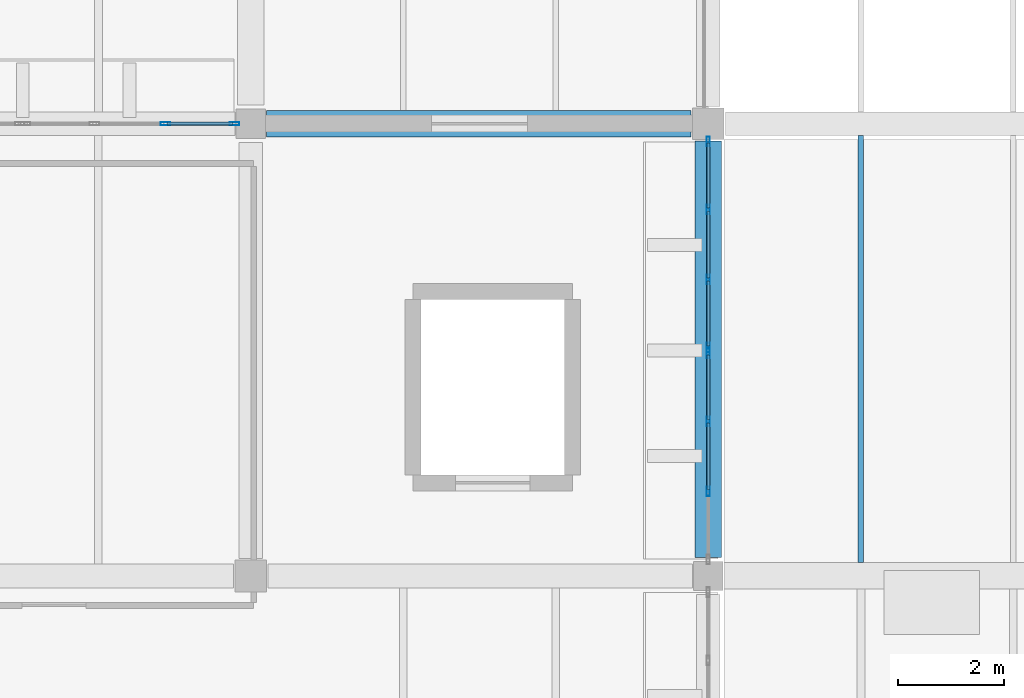
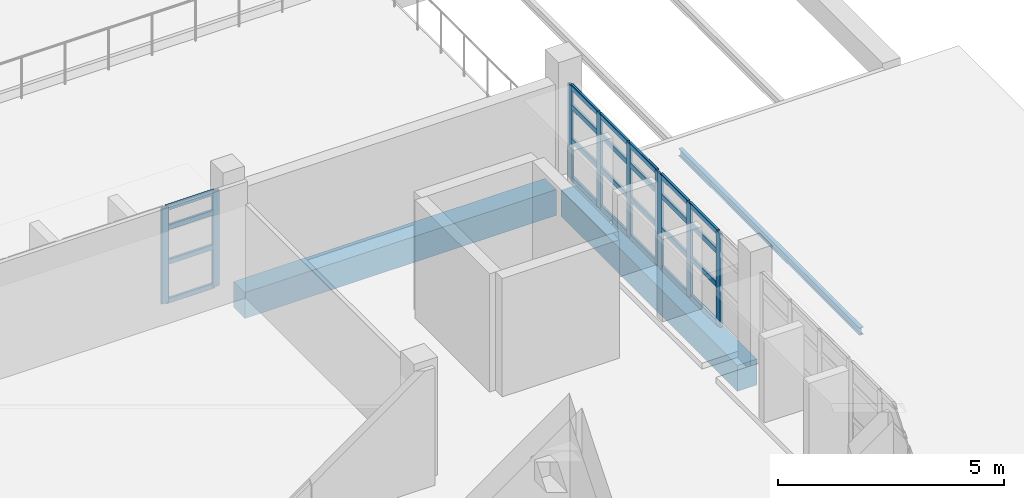
# One storey, part 17 of 55: 33 members, 3 beams, 3 elements without a shape of their own.
"""IFC4 building model written with IfcOpenShell, lengths in metres."""

import ifcopenshell
import ifcopenshell.guid

model = None  # the IFC model being written
_history = None  # IfcOwnerHistory: only IFC2X3 demands one
_inside = {}  # id of a spatial element -> (the spatial element, [elements in it])
_under = {}  # id of a project, library or spatial element -> (it, [spatial elements below it])
_declared = {}  # id of a project -> (the project, [libraries it declares])
_typed = {}  # id of a type object -> (the type object, [elements of that type])
_made_of = {}  # id of a material, layer set ... -> (it, [elements and type objects made of it])


def new_model(schema):
    """Start an empty IFC model of exactly this schema.

    Asked for "IFC4X3", IfcOpenShell would pick the latest addendum, in which some entities
    have other attributes; the version numbers below select the first issue.
    IFC2X3 requires an IfcOwnerHistory on every rooted entity: one is made here for all.
    """
    global model, _history
    if schema == "IFC4X3":
        model = ifcopenshell.file(schema_version=(4, 3, 0, 0))
    else:
        model = ifcopenshell.file(schema=schema)
    _inside.clear()
    _under.clear()
    _declared.clear()
    _typed.clear()
    _made_of.clear()
    _history = None
    if model.schema == "IFC2X3":
        org = make("IfcOrganization", Name="unknown")
        user = make(
            "IfcPersonAndOrganization",
            ThePerson=make("IfcPerson", FamilyName="unknown"),
            TheOrganization=org,
        )
        app = make(
            "IfcApplication",
            ApplicationDeveloper=org,
            Version="unknown",
            ApplicationFullName="unknown",
            ApplicationIdentifier="unknown",
        )
        _history = make(
            "IfcOwnerHistory",
            OwningUser=user,
            OwningApplication=app,
            ChangeAction="ADDED",
            CreationDate=0,
        )
    return model


def make(cls, **values):
    """One entity of the class cls with the attributes given. An attribute that is None is left unset."""
    return model.create_entity(
        cls, **{name: value for name, value in values.items() if value is not None}
    )


def rooted(cls, **values):
    """An entity with a GlobalId (a new one), such as an element, a storey or a relation."""
    return make(cls, GlobalId=ifcopenshell.guid.new(), OwnerHistory=_history, **values)


def si_unit(unit_type, name, prefix=None):
    """IfcSIUnit, for example si_unit("LENGTHUNIT", "METRE", prefix="MILLI")."""
    return make("IfcSIUnit", UnitType=unit_type, Prefix=prefix, Name=name)


def assignment(units):
    """IfcUnitAssignment: the units of a project."""
    return None if units is None else make("IfcUnitAssignment", Units=units)


def point(xyz):
    """IfcCartesianPoint."""
    return None if xyz is None else make("IfcCartesianPoint", Coordinates=xyz)


def direction(xyz):
    """IfcDirection."""
    return None if xyz is None else make("IfcDirection", DirectionRatios=xyz)


def frame(location, z_axis=None, x_axis=None):
    """IfcAxis2Placement3D, a coordinate frame: its origin and axes. An axis left out is left unset."""
    return make(
        "IfcAxis2Placement3D",
        Location=point(location),
        Axis=direction(z_axis),
        RefDirection=direction(x_axis),
    )


def frame_2d(location, x_axis=None):
    """IfcAxis2Placement2D, a coordinate frame in the plane: its origin and x axis."""
    return make(
        "IfcAxis2Placement2D", Location=point(location), RefDirection=direction(x_axis)
    )


def origin():
    """The frame at (0, 0, 0) with its axes left unset."""
    return frame((0.0, 0.0, 0.0))


def origin_2d():
    """The frame at (0, 0) in the plane with its x axis left unset."""
    return frame_2d((0.0, 0.0))


def place(relative_to, where):
    """IfcLocalPlacement: puts the frame where relative to a parent placement (None: the world)."""
    return make(
        "IfcLocalPlacement", PlacementRelTo=relative_to, RelativePlacement=where
    )


def context(
    kind, dimensions, precision=None, world=None, true_north=None, identifier=None
):
    """IfcGeometricRepresentationContext, for example the 3D "Model" context."""
    return make(
        "IfcGeometricRepresentationContext",
        ContextIdentifier=identifier,
        ContextType=kind,
        CoordinateSpaceDimension=dimensions,
        Precision=precision,
        WorldCoordinateSystem=world,
        TrueNorth=true_north,
    )


def subcontext(parent, identifier, kind, view, scale=None):
    """IfcGeometricRepresentationSubContext, for example "Body" below "Model"."""
    return make(
        "IfcGeometricRepresentationSubContext",
        ContextIdentifier=identifier,
        ContextType=kind,
        ParentContext=parent,
        TargetScale=scale,
        TargetView=view,
    )


def project(units=None, contexts=None):
    """IfcProject with its units and contexts."""
    return rooted(
        "IfcProject",
        Name="project",
        RepresentationContexts=contexts,
        UnitsInContext=assignment(units),
    )


def spatial(cls, under=None, at=None, **own):
    """A site, building, storey or space (cls), placed at a placement, below another one or the project."""
    s = rooted(cls, ObjectPlacement=at, **own)
    if under is not None:
        _under.setdefault(under.id(), (under, []))[1].append(s)
    return s


def profile(cls, at=None, kind="AREA", **sizes):
    """A parametric profile (cls). Its sizes go by their IFC names, for example OverallWidth=200.0."""
    return make(cls, ProfileType=kind, Position=at, **sizes)


def rectangle(**sizes):
    """IfcRectangleProfileDef."""
    return profile("IfcRectangleProfileDef", **sizes)


def hollow_rectangle(**sizes):
    """IfcRectangleHollowProfileDef."""
    return profile("IfcRectangleHollowProfileDef", **sizes)


def i_section(**sizes):
    """IfcIShapeProfileDef."""
    return profile("IfcIShapeProfileDef", **sizes)


def extrude(swept, where, along, depth):
    """IfcExtrudedAreaSolid: the profile swept, set in the frame where, extruded along a direction by depth."""
    return make(
        "IfcExtrudedAreaSolid",
        SweptArea=swept,
        Position=where,
        ExtrudedDirection=direction(along),
        Depth=depth,
    )


def shape(context_of_items, identifier, shape_type, items):
    """IfcShapeRepresentation: the items that make up one representation, for example the "Body"."""
    return make(
        "IfcShapeRepresentation",
        ContextOfItems=context_of_items,
        RepresentationIdentifier=identifier,
        RepresentationType=shape_type,
        Items=items,
    )


def material(Name=None, Category=None):
    """IfcMaterial."""
    return make("IfcMaterial", Name=Name, Category=Category)


def material_profile(
    of_material, cross_section, Name=None, Category=None, Priority=None
):
    """IfcMaterialProfile: a cross section and its material."""
    return make(
        "IfcMaterialProfile",
        Name=Name,
        Material=of_material,
        Profile=cross_section,
        Priority=Priority,
        Category=Category,
    )


def profile_set(profiles, Name=None, composite=None):
    """IfcMaterialProfileSet."""
    return make(
        "IfcMaterialProfileSet",
        Name=Name,
        MaterialProfiles=profiles,
        CompositeProfile=composite,
    )


def made_of(thing, what):
    """Note that an element or type object is made of a material, layer set ...; save() writes the relation."""
    if what is not None:
        _made_of.setdefault(what.id(), (what, []))[1].append(thing)
    return thing


def type_object(cls, material=None, **own):
    """A type object (cls), such as IfcWallType, which elements share."""
    return made_of(rooted(cls, **own), material)


def element(
    cls,
    number,
    at=None,
    inside=None,
    cuts=None,
    type_object=None,
    material=None,
    context=None,
    identifier="Body",
    shape_type=None,
    held_by="IfcProductDefinitionShape",
    body=None,
    shapes=None,
    **own,
):
    """One element of the class cls, such as IfcWall. Its Tag is "e" and its number.

    at: its placement. inside: the storey or other place that contains it. cuts: it is an
    opening in that element (IfcRelVoidsElement). A single representation is given by context,
    identifier, shape_type and body (its items); several are given by shapes. held_by: the class
    of the entity that holds the representations. save() writes the other relations.
    """
    e = rooted(cls, Tag="e%d" % number, ObjectPlacement=at, **own)
    if body is not None:
        shapes = [shape(context, identifier, shape_type, body)]
    if shapes is not None:
        e.Representation = make(held_by, Representations=shapes)
    if inside is not None:
        _inside.setdefault(inside.id(), (inside, []))[1].append(e)
    if cuts is not None:
        rooted(
            "IfcRelVoidsElement", RelatingBuildingElement=cuts, RelatedOpeningElement=e
        )
    if type_object is not None:
        _typed.setdefault(type_object.id(), (type_object, []))[1].append(e)
    return made_of(e, material)


def aggregate(whole, parts):
    """IfcRelAggregates: a whole, such as a stair, and the parts it consists of."""
    return rooted("IfcRelAggregates", RelatingObject=whole, RelatedObjects=parts)


def save(model, path):
    """Write the relations noted so far, then the file.

    IfcRelAggregates (storeys below a building ...), IfcRelContainedInSpatialStructure (elements
    in a storey), IfcRelDefinesByType, IfcRelAssociatesMaterial and IfcRelDeclares: one each for
    every whole, place, type object, material and project.
    """
    for whole, parts in _under.values():
        aggregate(whole, parts)
    for where, things in _inside.values():
        rooted(
            "IfcRelContainedInSpatialStructure",
            RelatedElements=things,
            RelatingStructure=where,
        )
    for kind, things in _typed.values():
        rooted("IfcRelDefinesByType", RelatedObjects=things, RelatingType=kind)
    for what, things in _made_of.values():
        rooted("IfcRelAssociatesMaterial", RelatedObjects=things, RelatingMaterial=what)
    for by, libraries in _declared.values():
        rooted("IfcRelDeclares", RelatingContext=by, RelatedDefinitions=libraries)
    model.write(path)


model = new_model("IFC4")

# Units and contexts
model_context = context("Model", 3, precision=1e-05, world=origin(), true_north=direction((0.0, 1.0)))
body_context = subcontext(model_context, "Body", "Model", "MODEL_VIEW")
ifc_project = project(units=[si_unit("LENGTHUNIT", "METRE"), si_unit("AREAUNIT", "SQUARE_METRE"), si_unit("VOLUMEUNIT", "CUBIC_METRE"), si_unit("PLANEANGLEUNIT", "RADIAN"), si_unit("MASSUNIT", "GRAM", prefix="KILO")], contexts=[model_context])

# Site, building, storey
site_placement = place(None, origin())
site = spatial("IfcSite", under=ifc_project, at=site_placement, CompositionType="ELEMENT")
building_placement = place(site_placement, origin())
building = spatial("IfcBuilding", under=site, at=building_placement, Name="Varnakota Cinema and Media Centre", CompositionType="ELEMENT")
storey_placement = place(building_placement, frame((0.0, 0.0, 15.60009765625)))
storey = spatial("IfcBuildingStorey", under=building, at=storey_placement, Name="L04", CompositionType="ELEMENT", Elevation=15.60009765625)

# Beams
ifc_material_1 = material(Name="Concrete M35", Category="concrete")
ifc_material_profile_1 = material_profile(ifc_material_1, rectangle(XDim=0.5, YDim=0.699951171875, at=origin_2d()), Name="RCB 500x700")
ifc_profile_set_1 = profile_set([ifc_material_profile_1], Name="Concrete M35")
beam_type_1 = type_object("IfcBeamType", Name="BM-RC-500x700", PredefinedType="BEAM", material=ifc_profile_set_1)
beam_1_placement = place(storey_placement, frame((17.5, 61.0, -0.60009765625), z_axis=(1.0, 0.0, 0.0), x_axis=(0.0, 1.0, 0.0)))
element("IfcBeam", 1, at=beam_1_placement, inside=storey, type_object=beam_type_1, Name="L04 girder C-D/8", PredefinedType="BEAM", context=body_context, shape_type="SweptSolid", body=[
    extrude(rectangle(XDim=0.5, YDim=0.699951171875, at=origin_2d()), origin(), (0.0, 0.0, 1.0), 7.97509765625),
])
beam_2_placement = place(storey_placement, frame((25.800048828125, 52.85009765625, -0.60009765625), z_axis=(0.0, 1.0, 0.0), x_axis=(-1.0, 0.0, 0.0)))
element("IfcBeam", 2, at=beam_2_placement, inside=storey, type_object=beam_type_1, Name="L04 girder D/7-8", PredefinedType="BEAM", context=body_context, shape_type="SweptSolid", body=[
    extrude(rectangle(XDim=0.5, YDim=0.699951171875, at=origin_2d()), origin(), (0.0, 0.0, 1.0), 7.824951171875),
])
ifc_material_2 = material(Name="Structural steel Grade 350 (E350)", Category="steel")
ifc_material_profile_2 = material_profile(ifc_material_2, i_section(OverallWidth=0.10009765625, OverallDepth=0.199951171875, WebThickness=0.005615234375, FlangeThickness=0.0107421875, FilletRadius=0.010986328125, at=origin_2d()), Name="ISMB 200")
ifc_profile_set_2 = profile_set([ifc_material_profile_2], Name="Structural steel Grade 350 (E350)")
beam_type_2 = type_object("IfcBeamType", Name="BM-ST-ISMB200", PredefinedType="JOIST", material=ifc_profile_set_2)
beam_3_placement = place(storey_placement, frame((28.666748046875, 52.75, -0.35009765625), z_axis=(0.0, 1.0, 0.0), x_axis=(-1.0, 0.0, 0.0)))
element("IfcBeam", 3, at=beam_3_placement, inside=storey, type_object=beam_type_2, Name="L04 steel joist D-E/7-8 #1", PredefinedType="JOIST", context=body_context, shape_type="SweptSolid", body=[
    extrude(i_section(OverallWidth=0.10009765625, OverallDepth=0.199951171875, WebThickness=0.005615234375, FlangeThickness=0.0107421875, FilletRadius=0.010986328125, at=origin_2d()), origin(), (0.0, 0.0, 1.0), 8.02490234375),
])

# Curtain wall, members
ifc_material_3 = material(Name="Thermally broken anodised aluminium AW-6063", Category="aluminium")
curtain_wall_type_1 = type_object("IfcCurtainWallType", Name="CW-STD-394x254", PredefinedType="USERDEFINED", material=ifc_material_3)
curtain_wall_1_placement = place(storey_placement, origin())
curtain_wall_1 = element("IfcCurtainWall", 4, at=curtain_wall_1_placement, inside=storey, type_object=curtain_wall_type_1, Name="L04 curtain wall CW-L04-V5-E-03-1", ObjectType="UNITISED CURTAIN WALL", PredefinedType="USERDEFINED")
ifc_material_4 = material(Name="Thermally broken anodised aluminium AW-6063", Category="aluminium")
ifc_material_profile_3 = material_profile(ifc_material_4, hollow_rectangle(XDim=0.06494140625, YDim=0.179931640625, WallThickness=0.00390625, InnerFilletRadius=0.00390625, OuterFilletRadius=0.008056640625, at=origin_2d()), Name="AL-MULLION 180x65x4")
ifc_profile_set_3 = profile_set([ifc_material_profile_3], Name="Thermally broken anodised aluminium AW-6063")
member_type_1 = type_object("IfcMemberType", Name="CWM-AL-180", PredefinedType="MULLION", material=ifc_profile_set_3)
member_1_placement = place(storey_placement, frame((25.800048828125, 54.089111328125, 0.0), z_axis=(0.0, 0.0, 1.0), x_axis=(-1.0, 0.0, 0.0)))
member_1 = element("IfcMember", 5, at=member_1_placement, type_object=member_type_1, Name="CW48 mullion 2", PredefinedType="MULLION", context=body_context, shape_type="SweptSolid", body=[
    extrude(hollow_rectangle(XDim=0.06494140625, YDim=0.179931640625, WallThickness=0.00390625, InnerFilletRadius=0.00390625, OuterFilletRadius=0.008056640625, at=origin_2d()), origin(), (0.0, 0.0, 1.0), 2.534912109375),
])
member_2_placement = place(storey_placement, frame((25.800048828125, 55.4033203125, 0.0), z_axis=(0.0, 0.0, 1.0), x_axis=(-1.0, 0.0, 0.0)))
member_2 = element("IfcMember", 6, at=member_2_placement, type_object=member_type_1, Name="CW48 mullion 3", PredefinedType="MULLION", context=body_context, shape_type="SweptSolid", body=[
    extrude(hollow_rectangle(XDim=0.06494140625, YDim=0.179931640625, WallThickness=0.00390625, InnerFilletRadius=0.00390625, OuterFilletRadius=0.008056640625, at=origin_2d()), origin(), (0.0, 0.0, 1.0), 2.534912109375),
])
member_3_placement = place(storey_placement, frame((25.800048828125, 56.68505859375, 0.0), z_axis=(0.0, 0.0, 1.0), x_axis=(-1.0, 0.0, 0.0)))
member_3 = element("IfcMember", 7, at=member_3_placement, type_object=member_type_1, Name="CW48 mullion 4", PredefinedType="MULLION", context=body_context, shape_type="SweptSolid", body=[
    extrude(hollow_rectangle(XDim=0.06494140625, YDim=0.179931640625, WallThickness=0.00390625, InnerFilletRadius=0.00390625, OuterFilletRadius=0.008056640625, at=origin_2d()), origin(), (0.0, 0.0, 1.0), 2.534912109375),
])

curtain_wall_2_placement = place(storey_placement, origin())
curtain_wall_2 = element("IfcCurtainWall", 8, at=curtain_wall_2_placement, inside=storey, type_object=curtain_wall_type_1, Name="L04 curtain wall CW-L04-V5-E-03-2", ObjectType="UNITISED CURTAIN WALL", PredefinedType="USERDEFINED")
member_4_placement = place(storey_placement, frame((25.800048828125, 56.7900390625, 0.0), z_axis=(0.0, 0.0, 1.0), x_axis=(-1.0, 0.0, 0.0)))
member_4 = element("IfcMember", 9, at=member_4_placement, type_object=member_type_1, Name="CW48 mullion 1", PredefinedType="MULLION", context=body_context, shape_type="SweptSolid", body=[
    extrude(hollow_rectangle(XDim=0.06494140625, YDim=0.179931640625, WallThickness=0.00390625, InnerFilletRadius=0.00390625, OuterFilletRadius=0.008056640625, at=origin_2d()), origin(), (0.0, 0.0, 1.0), 2.534912109375),
])
member_5_placement = place(storey_placement, frame((25.800048828125, 58.07177734375, 0.0), z_axis=(0.0, 0.0, 1.0), x_axis=(-1.0, 0.0, 0.0)))
member_5 = element("IfcMember", 10, at=member_5_placement, type_object=member_type_1, Name="CW48 mullion 2", PredefinedType="MULLION", context=body_context, shape_type="SweptSolid", body=[
    extrude(hollow_rectangle(XDim=0.06494140625, YDim=0.179931640625, WallThickness=0.00390625, InnerFilletRadius=0.00390625, OuterFilletRadius=0.008056640625, at=origin_2d()), origin(), (0.0, 0.0, 1.0), 2.534912109375),
])
member_6_placement = place(storey_placement, frame((25.800048828125, 59.3857421875, 0.0), z_axis=(0.0, 0.0, 1.0), x_axis=(-1.0, 0.0, 0.0)))
member_6 = element("IfcMember", 11, at=member_6_placement, type_object=member_type_1, Name="CW48 mullion 3", PredefinedType="MULLION", context=body_context, shape_type="SweptSolid", body=[
    extrude(hollow_rectangle(XDim=0.06494140625, YDim=0.179931640625, WallThickness=0.00390625, InnerFilletRadius=0.00390625, OuterFilletRadius=0.008056640625, at=origin_2d()), origin(), (0.0, 0.0, 1.0), 2.534912109375),
])
member_7_placement = place(storey_placement, frame((25.800048828125, 60.66748046875, 0.0), z_axis=(0.0, 0.0, 1.0), x_axis=(-1.0, 0.0, 0.0)))
member_7 = element("IfcMember", 12, at=member_7_placement, type_object=member_type_1, Name="CW48 mullion 4", PredefinedType="MULLION", context=body_context, shape_type="SweptSolid", body=[
    extrude(hollow_rectangle(XDim=0.06494140625, YDim=0.179931640625, WallThickness=0.00390625, InnerFilletRadius=0.00390625, OuterFilletRadius=0.008056640625, at=origin_2d()), origin(), (0.0, 0.0, 1.0), 2.534912109375),
])

ifc_material_5 = material(Name="Thermally broken anodised aluminium AW-6063", Category="aluminium")
curtain_wall_type_2 = type_object("IfcCurtainWallType", Name="CW-STD-399x258", PredefinedType="USERDEFINED", material=ifc_material_5)
curtain_wall_3_placement = place(storey_placement, origin())
curtain_wall_3 = element("IfcCurtainWall", 13, at=curtain_wall_3_placement, inside=storey, type_object=curtain_wall_type_2, Name="L04 curtain wall CW-L04-V5-N-02-2", ObjectType="UNITISED CURTAIN WALL", PredefinedType="USERDEFINED")
member_8_placement = place(storey_placement, frame((15.59423828125, 61.0, 0.0), z_axis=(0.0, 0.0, 1.0), x_axis=(0.0, 1.0, 0.0)))
member_8 = element("IfcMember", 14, at=member_8_placement, type_object=member_type_1, Name="CW49 mullion 3", PredefinedType="MULLION", context=body_context, shape_type="SweptSolid", body=[
    extrude(hollow_rectangle(XDim=0.06494140625, YDim=0.179931640625, WallThickness=0.00390625, InnerFilletRadius=0.00390625, OuterFilletRadius=0.008056640625, at=origin_2d()), origin(), (0.0, 0.0, 1.0), 2.5849609375),
])
member_9_placement = place(storey_placement, frame((16.892578125, 61.0, 0.0), z_axis=(0.0, 0.0, 1.0), x_axis=(0.0, 1.0, 0.0)))
member_9 = element("IfcMember", 15, at=member_9_placement, type_object=member_type_1, Name="CW49 mullion 4", PredefinedType="MULLION", context=body_context, shape_type="SweptSolid", body=[
    extrude(hollow_rectangle(XDim=0.06494140625, YDim=0.179931640625, WallThickness=0.00390625, InnerFilletRadius=0.00390625, OuterFilletRadius=0.008056640625, at=origin_2d()), origin(), (0.0, 0.0, 1.0), 2.5849609375),
])

# Member
ifc_material_6 = material(Name="Thermally broken anodised aluminium AW-6063", Category="aluminium")
ifc_material_profile_4 = material_profile(ifc_material_6, hollow_rectangle(XDim=0.06494140625, YDim=0.139892578125, WallThickness=0.00390625, InnerFilletRadius=0.00390625, OuterFilletRadius=0.008056640625, at=origin_2d()), Name="AL-TRANSOM 140x65x4")
ifc_profile_set_4 = profile_set([ifc_material_profile_4], Name="Thermally broken anodised aluminium AW-6063")
member_type_2 = type_object("IfcMemberType", Name="CWT-AL-140", PredefinedType="USERDEFINED", material=ifc_profile_set_4)
member_10_placement = place(storey_placement, frame((25.800048828125, 54.12158203125, 0.032470703125), z_axis=(0.0, 1.0, 0.0), x_axis=(-1.0, 0.0, 0.0)))
member_10 = element("IfcMember", 16, at=member_10_placement, type_object=member_type_2, Name="CW48 transom 2.1", ObjectType="TRANSOM", PredefinedType="USERDEFINED", context=body_context, shape_type="SweptSolid", body=[
    extrude(hollow_rectangle(XDim=0.06494140625, YDim=0.139892578125, WallThickness=0.00390625, InnerFilletRadius=0.00390625, OuterFilletRadius=0.008056640625, at=origin_2d()), origin(), (0.0, 0.0, 1.0), 1.249267578125),
])

member_11_placement = place(storey_placement, frame((25.800048828125, 54.12158203125, 1.064697265625), z_axis=(0.0, 1.0, 0.0), x_axis=(-1.0, 0.0, 0.0)))
member_11 = element("IfcMember", 17, at=member_11_placement, type_object=member_type_2, Name="CW48 transom 2.2", ObjectType="TRANSOM", PredefinedType="USERDEFINED", context=body_context, shape_type="SweptSolid", body=[
    extrude(hollow_rectangle(XDim=0.06494140625, YDim=0.139892578125, WallThickness=0.00390625, InnerFilletRadius=0.00390625, OuterFilletRadius=0.008056640625, at=origin_2d()), origin(), (0.0, 0.0, 1.0), 1.249267578125),
])

member_12_placement = place(storey_placement, frame((25.800048828125, 54.12158203125, 1.977294921875), z_axis=(0.0, 1.0, 0.0), x_axis=(-1.0, 0.0, 0.0)))
member_12 = element("IfcMember", 18, at=member_12_placement, type_object=member_type_2, Name="CW48 transom 2.3", ObjectType="TRANSOM", PredefinedType="USERDEFINED", context=body_context, shape_type="SweptSolid", body=[
    extrude(hollow_rectangle(XDim=0.06494140625, YDim=0.139892578125, WallThickness=0.00390625, InnerFilletRadius=0.00390625, OuterFilletRadius=0.008056640625, at=origin_2d()), origin(), (0.0, 0.0, 1.0), 1.249267578125),
])

member_13_placement = place(storey_placement, frame((25.800048828125, 54.12158203125, 2.50244140625), z_axis=(0.0, 1.0, 0.0), x_axis=(-1.0, 0.0, 0.0)))
member_13 = element("IfcMember", 19, at=member_13_placement, type_object=member_type_2, Name="CW48 transom 2.4", ObjectType="TRANSOM", PredefinedType="USERDEFINED", context=body_context, shape_type="SweptSolid", body=[
    extrude(hollow_rectangle(XDim=0.06494140625, YDim=0.139892578125, WallThickness=0.00390625, InnerFilletRadius=0.00390625, OuterFilletRadius=0.008056640625, at=origin_2d()), origin(), (0.0, 0.0, 1.0), 1.249267578125),
])

member_14_placement = place(storey_placement, frame((25.800048828125, 55.435791015625, 0.032470703125), z_axis=(0.0, 1.0, 0.0), x_axis=(-1.0, 0.0, 0.0)))
member_14 = element("IfcMember", 20, at=member_14_placement, type_object=member_type_2, Name="CW48 transom 3.1", ObjectType="TRANSOM", PredefinedType="USERDEFINED", context=body_context, shape_type="SweptSolid", body=[
    extrude(hollow_rectangle(XDim=0.06494140625, YDim=0.139892578125, WallThickness=0.00390625, InnerFilletRadius=0.00390625, OuterFilletRadius=0.008056640625, at=origin_2d()), origin(), (0.0, 0.0, 1.0), 1.216796875),
])

member_15_placement = place(storey_placement, frame((25.800048828125, 55.435791015625, 1.064697265625), z_axis=(0.0, 1.0, 0.0), x_axis=(-1.0, 0.0, 0.0)))
member_15 = element("IfcMember", 21, at=member_15_placement, type_object=member_type_2, Name="CW48 transom 3.2", ObjectType="TRANSOM", PredefinedType="USERDEFINED", context=body_context, shape_type="SweptSolid", body=[
    extrude(hollow_rectangle(XDim=0.06494140625, YDim=0.139892578125, WallThickness=0.00390625, InnerFilletRadius=0.00390625, OuterFilletRadius=0.008056640625, at=origin_2d()), origin(), (0.0, 0.0, 1.0), 1.216796875),
])

member_16_placement = place(storey_placement, frame((25.800048828125, 55.435791015625, 1.977294921875), z_axis=(0.0, 1.0, 0.0), x_axis=(-1.0, 0.0, 0.0)))
member_16 = element("IfcMember", 22, at=member_16_placement, type_object=member_type_2, Name="CW48 transom 3.3", ObjectType="TRANSOM", PredefinedType="USERDEFINED", context=body_context, shape_type="SweptSolid", body=[
    extrude(hollow_rectangle(XDim=0.06494140625, YDim=0.139892578125, WallThickness=0.00390625, InnerFilletRadius=0.00390625, OuterFilletRadius=0.008056640625, at=origin_2d()), origin(), (0.0, 0.0, 1.0), 1.216796875),
])

member_17_placement = place(storey_placement, frame((25.800048828125, 55.435791015625, 2.50244140625), z_axis=(0.0, 1.0, 0.0), x_axis=(-1.0, 0.0, 0.0)))
member_17 = element("IfcMember", 23, at=member_17_placement, type_object=member_type_2, Name="CW48 transom 3.4", ObjectType="TRANSOM", PredefinedType="USERDEFINED", context=body_context, shape_type="SweptSolid", body=[
    extrude(hollow_rectangle(XDim=0.06494140625, YDim=0.139892578125, WallThickness=0.00390625, InnerFilletRadius=0.00390625, OuterFilletRadius=0.008056640625, at=origin_2d()), origin(), (0.0, 0.0, 1.0), 1.216796875),
])

aggregate(curtain_wall_1, [member_1, member_2, member_3, member_10, member_11, member_12, member_13, member_14, member_15, member_16, member_17])

member_18_placement = place(storey_placement, frame((25.800048828125, 56.822509765625, 0.032470703125), z_axis=(0.0, 1.0, 0.0), x_axis=(-1.0, 0.0, 0.0)))
member_18 = element("IfcMember", 24, at=member_18_placement, type_object=member_type_2, Name="CW48 transom 1.1", ObjectType="TRANSOM", PredefinedType="USERDEFINED", context=body_context, shape_type="SweptSolid", body=[
    extrude(hollow_rectangle(XDim=0.06494140625, YDim=0.139892578125, WallThickness=0.00390625, InnerFilletRadius=0.00390625, OuterFilletRadius=0.008056640625, at=origin_2d()), origin(), (0.0, 0.0, 1.0), 1.216552734375),
])

member_19_placement = place(storey_placement, frame((25.800048828125, 56.822509765625, 1.064697265625), z_axis=(0.0, 1.0, 0.0), x_axis=(-1.0, 0.0, 0.0)))
member_19 = element("IfcMember", 25, at=member_19_placement, type_object=member_type_2, Name="CW48 transom 1.2", ObjectType="TRANSOM", PredefinedType="USERDEFINED", context=body_context, shape_type="SweptSolid", body=[
    extrude(hollow_rectangle(XDim=0.06494140625, YDim=0.139892578125, WallThickness=0.00390625, InnerFilletRadius=0.00390625, OuterFilletRadius=0.008056640625, at=origin_2d()), origin(), (0.0, 0.0, 1.0), 1.216552734375),
])

member_20_placement = place(storey_placement, frame((25.800048828125, 56.822509765625, 1.977294921875), z_axis=(0.0, 1.0, 0.0), x_axis=(-1.0, 0.0, 0.0)))
member_20 = element("IfcMember", 26, at=member_20_placement, type_object=member_type_2, Name="CW48 transom 1.3", ObjectType="TRANSOM", PredefinedType="USERDEFINED", context=body_context, shape_type="SweptSolid", body=[
    extrude(hollow_rectangle(XDim=0.06494140625, YDim=0.139892578125, WallThickness=0.00390625, InnerFilletRadius=0.00390625, OuterFilletRadius=0.008056640625, at=origin_2d()), origin(), (0.0, 0.0, 1.0), 1.216552734375),
])

member_21_placement = place(storey_placement, frame((25.800048828125, 56.822509765625, 2.50244140625), z_axis=(0.0, 1.0, 0.0), x_axis=(-1.0, 0.0, 0.0)))
member_21 = element("IfcMember", 27, at=member_21_placement, type_object=member_type_2, Name="CW48 transom 1.4", ObjectType="TRANSOM", PredefinedType="USERDEFINED", context=body_context, shape_type="SweptSolid", body=[
    extrude(hollow_rectangle(XDim=0.06494140625, YDim=0.139892578125, WallThickness=0.00390625, InnerFilletRadius=0.00390625, OuterFilletRadius=0.008056640625, at=origin_2d()), origin(), (0.0, 0.0, 1.0), 1.216552734375),
])

member_22_placement = place(storey_placement, frame((25.800048828125, 58.104248046875, 0.032470703125), z_axis=(0.0, 1.0, 0.0), x_axis=(-1.0, 0.0, 0.0)))
member_22 = element("IfcMember", 28, at=member_22_placement, type_object=member_type_2, Name="CW48 transom 2.1", ObjectType="TRANSOM", PredefinedType="USERDEFINED", context=body_context, shape_type="SweptSolid", body=[
    extrude(hollow_rectangle(XDim=0.06494140625, YDim=0.139892578125, WallThickness=0.00390625, InnerFilletRadius=0.00390625, OuterFilletRadius=0.008056640625, at=origin_2d()), origin(), (0.0, 0.0, 1.0), 1.2490234375),
])

member_23_placement = place(storey_placement, frame((25.800048828125, 58.104248046875, 1.064697265625), z_axis=(0.0, 1.0, 0.0), x_axis=(-1.0, 0.0, 0.0)))
member_23 = element("IfcMember", 29, at=member_23_placement, type_object=member_type_2, Name="CW48 transom 2.2", ObjectType="TRANSOM", PredefinedType="USERDEFINED", context=body_context, shape_type="SweptSolid", body=[
    extrude(hollow_rectangle(XDim=0.06494140625, YDim=0.139892578125, WallThickness=0.00390625, InnerFilletRadius=0.00390625, OuterFilletRadius=0.008056640625, at=origin_2d()), origin(), (0.0, 0.0, 1.0), 1.2490234375),
])

member_24_placement = place(storey_placement, frame((25.800048828125, 58.104248046875, 1.977294921875), z_axis=(0.0, 1.0, 0.0), x_axis=(-1.0, 0.0, 0.0)))
member_24 = element("IfcMember", 30, at=member_24_placement, type_object=member_type_2, Name="CW48 transom 2.3", ObjectType="TRANSOM", PredefinedType="USERDEFINED", context=body_context, shape_type="SweptSolid", body=[
    extrude(hollow_rectangle(XDim=0.06494140625, YDim=0.139892578125, WallThickness=0.00390625, InnerFilletRadius=0.00390625, OuterFilletRadius=0.008056640625, at=origin_2d()), origin(), (0.0, 0.0, 1.0), 1.2490234375),
])

member_25_placement = place(storey_placement, frame((25.800048828125, 58.104248046875, 2.50244140625), z_axis=(0.0, 1.0, 0.0), x_axis=(-1.0, 0.0, 0.0)))
member_25 = element("IfcMember", 31, at=member_25_placement, type_object=member_type_2, Name="CW48 transom 2.4", ObjectType="TRANSOM", PredefinedType="USERDEFINED", context=body_context, shape_type="SweptSolid", body=[
    extrude(hollow_rectangle(XDim=0.06494140625, YDim=0.139892578125, WallThickness=0.00390625, InnerFilletRadius=0.00390625, OuterFilletRadius=0.008056640625, at=origin_2d()), origin(), (0.0, 0.0, 1.0), 1.2490234375),
])

member_26_placement = place(storey_placement, frame((25.800048828125, 59.418212890625, 0.032470703125), z_axis=(0.0, 1.0, 0.0), x_axis=(-1.0, 0.0, 0.0)))
member_26 = element("IfcMember", 32, at=member_26_placement, type_object=member_type_2, Name="CW48 transom 3.1", ObjectType="TRANSOM", PredefinedType="USERDEFINED", context=body_context, shape_type="SweptSolid", body=[
    extrude(hollow_rectangle(XDim=0.06494140625, YDim=0.139892578125, WallThickness=0.00390625, InnerFilletRadius=0.00390625, OuterFilletRadius=0.008056640625, at=origin_2d()), origin(), (0.0, 0.0, 1.0), 1.216796875),
])

member_27_placement = place(storey_placement, frame((25.800048828125, 59.418212890625, 1.064697265625), z_axis=(0.0, 1.0, 0.0), x_axis=(-1.0, 0.0, 0.0)))
member_27 = element("IfcMember", 33, at=member_27_placement, type_object=member_type_2, Name="CW48 transom 3.2", ObjectType="TRANSOM", PredefinedType="USERDEFINED", context=body_context, shape_type="SweptSolid", body=[
    extrude(hollow_rectangle(XDim=0.06494140625, YDim=0.139892578125, WallThickness=0.00390625, InnerFilletRadius=0.00390625, OuterFilletRadius=0.008056640625, at=origin_2d()), origin(), (0.0, 0.0, 1.0), 1.216796875),
])

member_28_placement = place(storey_placement, frame((25.800048828125, 59.418212890625, 1.977294921875), z_axis=(0.0, 1.0, 0.0), x_axis=(-1.0, 0.0, 0.0)))
member_28 = element("IfcMember", 34, at=member_28_placement, type_object=member_type_2, Name="CW48 transom 3.3", ObjectType="TRANSOM", PredefinedType="USERDEFINED", context=body_context, shape_type="SweptSolid", body=[
    extrude(hollow_rectangle(XDim=0.06494140625, YDim=0.139892578125, WallThickness=0.00390625, InnerFilletRadius=0.00390625, OuterFilletRadius=0.008056640625, at=origin_2d()), origin(), (0.0, 0.0, 1.0), 1.216796875),
])

member_29_placement = place(storey_placement, frame((25.800048828125, 59.418212890625, 2.50244140625), z_axis=(0.0, 1.0, 0.0), x_axis=(-1.0, 0.0, 0.0)))
member_29 = element("IfcMember", 35, at=member_29_placement, type_object=member_type_2, Name="CW48 transom 3.4", ObjectType="TRANSOM", PredefinedType="USERDEFINED", context=body_context, shape_type="SweptSolid", body=[
    extrude(hollow_rectangle(XDim=0.06494140625, YDim=0.139892578125, WallThickness=0.00390625, InnerFilletRadius=0.00390625, OuterFilletRadius=0.008056640625, at=origin_2d()), origin(), (0.0, 0.0, 1.0), 1.216796875),
])

aggregate(curtain_wall_2, [member_4, member_5, member_6, member_7, member_18, member_19, member_20, member_21, member_22, member_23, member_24, member_25, member_26, member_27, member_28, member_29])

member_30_placement = place(storey_placement, frame((15.626708984375, 61.0, 0.032470703125), z_axis=(1.0, 0.0, 0.0), x_axis=(0.0, 1.0, 0.0)))
member_30 = element("IfcMember", 36, at=member_30_placement, type_object=member_type_2, Name="CW49 transom 3.1", ObjectType="TRANSOM", PredefinedType="USERDEFINED", context=body_context, shape_type="SweptSolid", body=[
    extrude(hollow_rectangle(XDim=0.06494140625, YDim=0.139892578125, WallThickness=0.00390625, InnerFilletRadius=0.00390625, OuterFilletRadius=0.008056640625, at=origin_2d()), origin(), (0.0, 0.0, 1.0), 1.2333984375),
])

member_31_placement = place(storey_placement, frame((15.626708984375, 61.0, 1.085693359375), z_axis=(1.0, 0.0, 0.0), x_axis=(0.0, 1.0, 0.0)))
member_31 = element("IfcMember", 37, at=member_31_placement, type_object=member_type_2, Name="CW49 transom 3.2", ObjectType="TRANSOM", PredefinedType="USERDEFINED", context=body_context, shape_type="SweptSolid", body=[
    extrude(hollow_rectangle(XDim=0.06494140625, YDim=0.139892578125, WallThickness=0.00390625, InnerFilletRadius=0.00390625, OuterFilletRadius=0.008056640625, at=origin_2d()), origin(), (0.0, 0.0, 1.0), 1.2333984375),
])

member_32_placement = place(storey_placement, frame((15.626708984375, 61.0, 2.01611328125), z_axis=(1.0, 0.0, 0.0), x_axis=(0.0, 1.0, 0.0)))
member_32 = element("IfcMember", 38, at=member_32_placement, type_object=member_type_2, Name="CW49 transom 3.3", ObjectType="TRANSOM", PredefinedType="USERDEFINED", context=body_context, shape_type="SweptSolid", body=[
    extrude(hollow_rectangle(XDim=0.06494140625, YDim=0.139892578125, WallThickness=0.00390625, InnerFilletRadius=0.00390625, OuterFilletRadius=0.008056640625, at=origin_2d()), origin(), (0.0, 0.0, 1.0), 1.2333984375),
])

member_33_placement = place(storey_placement, frame((15.626708984375, 61.0, 2.552490234375), z_axis=(1.0, 0.0, 0.0), x_axis=(0.0, 1.0, 0.0)))
member_33 = element("IfcMember", 39, at=member_33_placement, type_object=member_type_2, Name="CW49 transom 3.4", ObjectType="TRANSOM", PredefinedType="USERDEFINED", context=body_context, shape_type="SweptSolid", body=[
    extrude(hollow_rectangle(XDim=0.06494140625, YDim=0.139892578125, WallThickness=0.00390625, InnerFilletRadius=0.00390625, OuterFilletRadius=0.008056640625, at=origin_2d()), origin(), (0.0, 0.0, 1.0), 1.2333984375),
])

aggregate(curtain_wall_3, [member_8, member_9, member_30, member_31, member_32, member_33])

save(model, "model.ifc")
